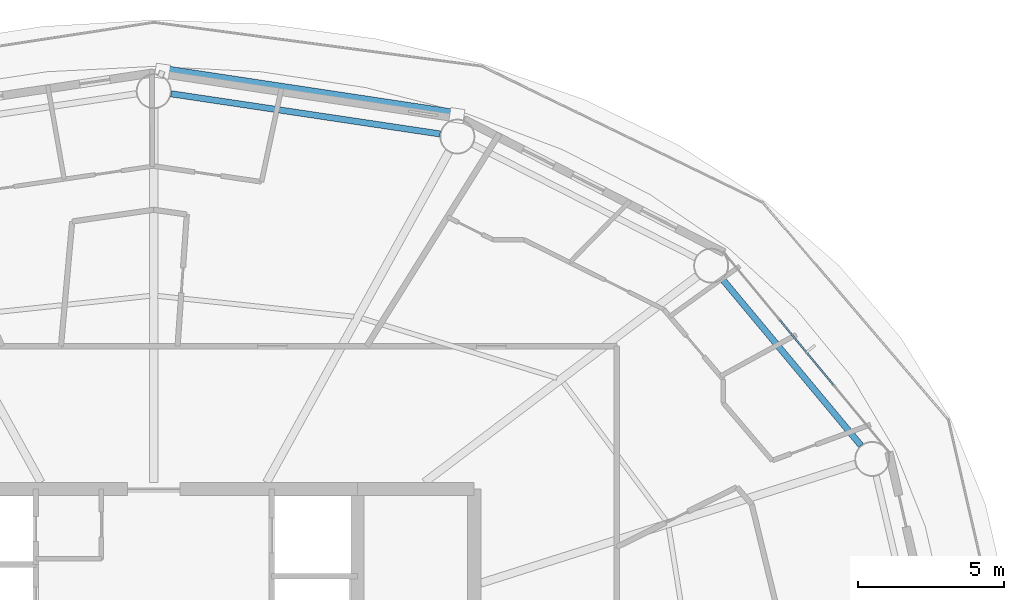
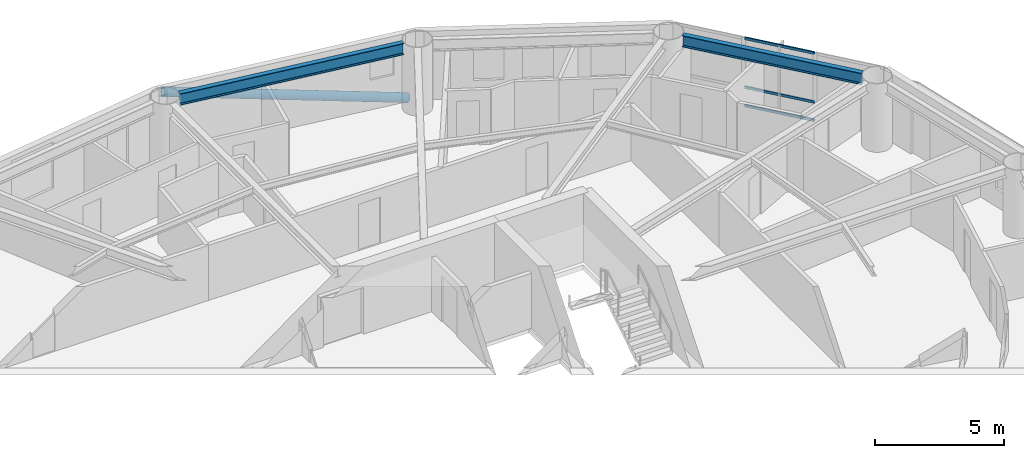
# One storey, part 14 of 28: 4 members, 2 beams, 1 element without a shape of its own.
"""IFC4 building model written with IfcOpenShell, lengths in metres."""

import ifcopenshell
import ifcopenshell.guid

model = None  # the IFC model being written
_history = None  # IfcOwnerHistory: only IFC2X3 demands one
_inside = {}  # id of a spatial element -> (the spatial element, [elements in it])
_under = {}  # id of a project, library or spatial element -> (it, [spatial elements below it])
_declared = {}  # id of a project -> (the project, [libraries it declares])
_typed = {}  # id of a type object -> (the type object, [elements of that type])
_made_of = {}  # id of a material, layer set ... -> (it, [elements and type objects made of it])


def new_model(schema):
    """Start an empty IFC model of exactly this schema.

    Asked for "IFC4X3", IfcOpenShell would pick the latest addendum, in which some entities
    have other attributes; the version numbers below select the first issue.
    IFC2X3 requires an IfcOwnerHistory on every rooted entity: one is made here for all.
    """
    global model, _history
    if schema == "IFC4X3":
        model = ifcopenshell.file(schema_version=(4, 3, 0, 0))
    else:
        model = ifcopenshell.file(schema=schema)
    _inside.clear()
    _under.clear()
    _declared.clear()
    _typed.clear()
    _made_of.clear()
    _history = None
    if model.schema == "IFC2X3":
        org = make("IfcOrganization", Name="unknown")
        user = make(
            "IfcPersonAndOrganization",
            ThePerson=make("IfcPerson", FamilyName="unknown"),
            TheOrganization=org,
        )
        app = make(
            "IfcApplication",
            ApplicationDeveloper=org,
            Version="unknown",
            ApplicationFullName="unknown",
            ApplicationIdentifier="unknown",
        )
        _history = make(
            "IfcOwnerHistory",
            OwningUser=user,
            OwningApplication=app,
            ChangeAction="ADDED",
            CreationDate=0,
        )
    return model


def make(cls, **values):
    """One entity of the class cls with the attributes given. An attribute that is None is left unset."""
    return model.create_entity(
        cls, **{name: value for name, value in values.items() if value is not None}
    )


def rooted(cls, **values):
    """An entity with a GlobalId (a new one), such as an element, a storey or a relation."""
    return make(cls, GlobalId=ifcopenshell.guid.new(), OwnerHistory=_history, **values)


def si_unit(unit_type, name, prefix=None):
    """IfcSIUnit, for example si_unit("LENGTHUNIT", "METRE", prefix="MILLI")."""
    return make("IfcSIUnit", UnitType=unit_type, Prefix=prefix, Name=name)


def assignment(units):
    """IfcUnitAssignment: the units of a project."""
    return None if units is None else make("IfcUnitAssignment", Units=units)


def point(xyz):
    """IfcCartesianPoint."""
    return None if xyz is None else make("IfcCartesianPoint", Coordinates=xyz)


def direction(xyz):
    """IfcDirection."""
    return None if xyz is None else make("IfcDirection", DirectionRatios=xyz)


def frame(location, z_axis=None, x_axis=None):
    """IfcAxis2Placement3D, a coordinate frame: its origin and axes. An axis left out is left unset."""
    return make(
        "IfcAxis2Placement3D",
        Location=point(location),
        Axis=direction(z_axis),
        RefDirection=direction(x_axis),
    )


def frame_2d(location, x_axis=None):
    """IfcAxis2Placement2D, a coordinate frame in the plane: its origin and x axis."""
    return make(
        "IfcAxis2Placement2D", Location=point(location), RefDirection=direction(x_axis)
    )


def origin():
    """The frame at (0, 0, 0) with its axes left unset."""
    return frame((0.0, 0.0, 0.0))


def origin_2d():
    """The frame at (0, 0) in the plane with its x axis left unset."""
    return frame_2d((0.0, 0.0))


def place(relative_to, where):
    """IfcLocalPlacement: puts the frame where relative to a parent placement (None: the world)."""
    return make(
        "IfcLocalPlacement", PlacementRelTo=relative_to, RelativePlacement=where
    )


def context(
    kind, dimensions, precision=None, world=None, true_north=None, identifier=None
):
    """IfcGeometricRepresentationContext, for example the 3D "Model" context."""
    return make(
        "IfcGeometricRepresentationContext",
        ContextIdentifier=identifier,
        ContextType=kind,
        CoordinateSpaceDimension=dimensions,
        Precision=precision,
        WorldCoordinateSystem=world,
        TrueNorth=true_north,
    )


def subcontext(parent, identifier, kind, view, scale=None):
    """IfcGeometricRepresentationSubContext, for example "Body" below "Model"."""
    return make(
        "IfcGeometricRepresentationSubContext",
        ContextIdentifier=identifier,
        ContextType=kind,
        ParentContext=parent,
        TargetScale=scale,
        TargetView=view,
    )


def project(units=None, contexts=None):
    """IfcProject with its units and contexts."""
    return rooted(
        "IfcProject",
        Name="project",
        RepresentationContexts=contexts,
        UnitsInContext=assignment(units),
    )


def spatial(cls, under=None, at=None, **own):
    """A site, building, storey or space (cls), placed at a placement, below another one or the project."""
    s = rooted(cls, ObjectPlacement=at, **own)
    if under is not None:
        _under.setdefault(under.id(), (under, []))[1].append(s)
    return s


def profile(cls, at=None, kind="AREA", **sizes):
    """A parametric profile (cls). Its sizes go by their IFC names, for example OverallWidth=200.0."""
    return make(cls, ProfileType=kind, Position=at, **sizes)


def hollow_rectangle(**sizes):
    """IfcRectangleHollowProfileDef."""
    return profile("IfcRectangleHollowProfileDef", **sizes)


def hollow_circle(**sizes):
    """IfcCircleHollowProfileDef."""
    return profile("IfcCircleHollowProfileDef", **sizes)


def i_section(**sizes):
    """IfcIShapeProfileDef."""
    return profile("IfcIShapeProfileDef", **sizes)


def extrude(swept, where, along, depth):
    """IfcExtrudedAreaSolid: the profile swept, set in the frame where, extruded along a direction by depth."""
    return make(
        "IfcExtrudedAreaSolid",
        SweptArea=swept,
        Position=where,
        ExtrudedDirection=direction(along),
        Depth=depth,
    )


def shape(context_of_items, identifier, shape_type, items):
    """IfcShapeRepresentation: the items that make up one representation, for example the "Body"."""
    return make(
        "IfcShapeRepresentation",
        ContextOfItems=context_of_items,
        RepresentationIdentifier=identifier,
        RepresentationType=shape_type,
        Items=items,
    )


def material(Name=None, Category=None):
    """IfcMaterial."""
    return make("IfcMaterial", Name=Name, Category=Category)


def layer(
    of_material, thickness, ventilated=None, Name=None, Category=None, Priority=None
):
    """IfcMaterialLayer: one layer of a wall or slab, of a material (None: an air gap)."""
    return make(
        "IfcMaterialLayer",
        Material=of_material,
        LayerThickness=thickness,
        IsVentilated=ventilated,
        Name=Name,
        Category=Category,
        Priority=Priority,
    )


def layer_set(layers, Name=None):
    """IfcMaterialLayerSet."""
    return make("IfcMaterialLayerSet", MaterialLayers=layers, LayerSetName=Name)


def material_profile(
    of_material, cross_section, Name=None, Category=None, Priority=None
):
    """IfcMaterialProfile: a cross section and its material."""
    return make(
        "IfcMaterialProfile",
        Name=Name,
        Material=of_material,
        Profile=cross_section,
        Priority=Priority,
        Category=Category,
    )


def profile_set(profiles, Name=None, composite=None):
    """IfcMaterialProfileSet."""
    return make(
        "IfcMaterialProfileSet",
        Name=Name,
        MaterialProfiles=profiles,
        CompositeProfile=composite,
    )


def made_of(thing, what):
    """Note that an element or type object is made of a material, layer set ...; save() writes the relation."""
    if what is not None:
        _made_of.setdefault(what.id(), (what, []))[1].append(thing)
    return thing


def type_object(cls, material=None, **own):
    """A type object (cls), such as IfcWallType, which elements share."""
    return made_of(rooted(cls, **own), material)


def element(
    cls,
    number,
    at=None,
    inside=None,
    cuts=None,
    type_object=None,
    material=None,
    context=None,
    identifier="Body",
    shape_type=None,
    held_by="IfcProductDefinitionShape",
    body=None,
    shapes=None,
    **own,
):
    """One element of the class cls, such as IfcWall. Its Tag is "e" and its number.

    at: its placement. inside: the storey or other place that contains it. cuts: it is an
    opening in that element (IfcRelVoidsElement). A single representation is given by context,
    identifier, shape_type and body (its items); several are given by shapes. held_by: the class
    of the entity that holds the representations. save() writes the other relations.
    """
    e = rooted(cls, Tag="e%d" % number, ObjectPlacement=at, **own)
    if body is not None:
        shapes = [shape(context, identifier, shape_type, body)]
    if shapes is not None:
        e.Representation = make(held_by, Representations=shapes)
    if inside is not None:
        _inside.setdefault(inside.id(), (inside, []))[1].append(e)
    if cuts is not None:
        rooted(
            "IfcRelVoidsElement", RelatingBuildingElement=cuts, RelatedOpeningElement=e
        )
    if type_object is not None:
        _typed.setdefault(type_object.id(), (type_object, []))[1].append(e)
    return made_of(e, material)


def aggregate(whole, parts):
    """IfcRelAggregates: a whole, such as a stair, and the parts it consists of."""
    return rooted("IfcRelAggregates", RelatingObject=whole, RelatedObjects=parts)


def save(model, path):
    """Write the relations noted so far, then the file.

    IfcRelAggregates (storeys below a building ...), IfcRelContainedInSpatialStructure (elements
    in a storey), IfcRelDefinesByType, IfcRelAssociatesMaterial and IfcRelDeclares: one each for
    every whole, place, type object, material and project.
    """
    for whole, parts in _under.values():
        aggregate(whole, parts)
    for where, things in _inside.values():
        rooted(
            "IfcRelContainedInSpatialStructure",
            RelatedElements=things,
            RelatingStructure=where,
        )
    for kind, things in _typed.values():
        rooted("IfcRelDefinesByType", RelatedObjects=things, RelatingType=kind)
    for what, things in _made_of.values():
        rooted("IfcRelAssociatesMaterial", RelatedObjects=things, RelatingMaterial=what)
    for by, libraries in _declared.values():
        rooted("IfcRelDeclares", RelatingContext=by, RelatedDefinitions=libraries)
    model.write(path)


model = new_model("IFC4")

# Units and contexts
model_context = context("Model", 3, precision=1e-05, world=origin(), true_north=direction((0.0, 1.0)))
body_context = subcontext(model_context, "Body", "Model", "MODEL_VIEW")
ifc_project = project(units=[si_unit("LENGTHUNIT", "METRE"), si_unit("AREAUNIT", "SQUARE_METRE"), si_unit("VOLUMEUNIT", "CUBIC_METRE"), si_unit("PLANEANGLEUNIT", "RADIAN"), si_unit("MASSUNIT", "GRAM", prefix="KILO")], contexts=[model_context])

# Site, building, storey
site_placement = place(None, origin())
site = spatial("IfcSite", under=ifc_project, at=site_placement, CompositionType="ELEMENT")
building_placement = place(site_placement, origin())
building = spatial("IfcBuilding", under=site, at=building_placement, Name="Sarneth Arch Tower", CompositionType="ELEMENT")
storey_placement = place(building_placement, frame((0.0, 0.0, 197.39990234375)))
storey = spatial("IfcBuildingStorey", under=building, at=storey_placement, Name="L50", CompositionType="ELEMENT", Elevation=197.39990234375)

# Beams
ifc_material_1 = material(Name="Steel S355", Category="steel")
ifc_material_profile_1 = material_profile(ifc_material_1, i_section(OverallWidth=0.214111328125, OverallDepth=0.549072265625, WebThickness=0.0146484375, FlangeThickness=0.023681640625, FilletRadius=0.01806640625, at=origin_2d()), Name="W530x138")
ifc_profile_set_1 = profile_set([ifc_material_profile_1], Name="Steel S355")
beam_type = type_object("IfcBeamType", Name="BM-RAD-530A", PredefinedType="BEAM", material=ifc_profile_set_1)
beam_1_placement = place(storey_placement, frame((72.278076171875, 50.286865234375, 2.9755859375), z_axis=(-0.640161793626, 0.768240117399, 0.0), x_axis=(-0.768240117399, -0.640161793626, 0.0)))
element("IfcBeam", 1, at=beam_1_placement, inside=storey, type_object=beam_type, Name="L50 Perimeter spandrel beam 02", PredefinedType="BEAM", context=body_context, shape_type="SweptSolid", body=[
    extrude(i_section(OverallWidth=0.214111328125, OverallDepth=0.549072265625, WebThickness=0.0146484375, FlangeThickness=0.023681640625, FilletRadius=0.01806640625, at=origin_2d()), origin(), (0.0, 0.0, 1.0), 7.43603515625),
])
beam_2_placement = place(storey_placement, frame((57.828369140625, 60.98193359375, 2.9755859375), z_axis=(-0.98902783755, 0.147729267756, 0.0), x_axis=(-0.147729267756, -0.98902783755, 0.0)))
element("IfcBeam", 2, at=beam_2_placement, inside=storey, type_object=beam_type, Name="L50 Perimeter spandrel beam 04", PredefinedType="BEAM", context=body_context, shape_type="SweptSolid", body=[
    extrude(i_section(OverallWidth=0.214111328125, OverallDepth=0.549072265625, WebThickness=0.0146484375, FlangeThickness=0.023681640625, FilletRadius=0.01806640625, at=origin_2d()), origin(), (0.0, 0.0, 1.0), 9.33740234375),
])

# Curtain wall, members
ifc_material_2 = material(Name="Anodised aluminium Type AA25 and solar-control low-e laminated IGU", Category="aluminium")
ifc_layer = layer(ifc_material_2, 0.169921875)
ifc_layer_set = layer_set([ifc_layer], Name="Anodised aluminium Type AA25 and solar-control low-e laminated IGU")
curtain_wall_type = type_object("IfcCurtainWallType", Name="CW-RES-MID", PredefinedType="NOTDEFINED", material=ifc_layer_set)
curtain_wall_placement = place(storey_placement, origin())
curtain_wall = element("IfcCurtainWall", 3, at=curtain_wall_placement, inside=storey, type_object=curtain_wall_type, Name="L50 Unitised curtain wall facet 02", PredefinedType="NOTDEFINED")
ifc_material_3 = material(Name="Anodised Aluminium 6063-T6", Category="aluminium")
ifc_material_profile_2 = material_profile(ifc_material_3, hollow_rectangle(XDim=0.06005859375, YDim=0.1201171875, WallThickness=0.00390625, at=origin_2d()), Name="AL-TRAN-120x60x4")
ifc_profile_set_2 = profile_set([ifc_material_profile_2], Name="Anodised Aluminium 6063-T6")
member_type_1 = type_object("IfcMemberType", Name="CW-TRANSOM", PredefinedType="USERDEFINED", material=ifc_profile_set_2)
member_1_placement = place(storey_placement, frame((71.327880859375, 52.36962890625, 0.030029296875), z_axis=(-0.637329777791, 0.770591171985, 0.0), x_axis=(-0.770591171985, -0.637329777791, 0.0)))
member_1 = element("IfcMember", 4, at=member_1_placement, type_object=member_type_1, Name="CW-SYS-5 transom 2.1", ObjectType="TRANSOM", PredefinedType="USERDEFINED", context=body_context, shape_type="SweptSolid", body=[
    extrude(hollow_rectangle(XDim=0.06005859375, YDim=0.1201171875, WallThickness=0.00390625, at=origin_2d()), origin(), (0.0, 0.0, 1.0), 2.898193359375),
])
member_2_placement = place(storey_placement, frame((71.327880859375, 52.36962890625, 0.900146484375), z_axis=(-0.637329777791, 0.770591171985, 0.0), x_axis=(-0.770591171985, -0.637329777791, 0.0)))
member_2 = element("IfcMember", 5, at=member_2_placement, type_object=member_type_1, Name="CW-SYS-5 transom 2.2", ObjectType="TRANSOM", PredefinedType="USERDEFINED", context=body_context, shape_type="SweptSolid", body=[
    extrude(hollow_rectangle(XDim=0.06005859375, YDim=0.1201171875, WallThickness=0.00390625, at=origin_2d()), origin(), (0.0, 0.0, 1.0), 2.898193359375),
])
member_3_placement = place(storey_placement, frame((71.327880859375, 52.36962890625, 3.22021484375), z_axis=(-0.637329777791, 0.770591171985, 0.0), x_axis=(-0.770591171985, -0.637329777791, 0.0)))
member_3 = element("IfcMember", 6, at=member_3_placement, type_object=member_type_1, Name="CW-SYS-5 transom 2.3", ObjectType="TRANSOM", PredefinedType="USERDEFINED", context=body_context, shape_type="SweptSolid", body=[
    extrude(hollow_rectangle(XDim=0.06005859375, YDim=0.1201171875, WallThickness=0.00390625, at=origin_2d()), origin(), (0.0, 0.0, 1.0), 2.898193359375),
])
aggregate(curtain_wall, [member_1, member_2, member_3])

# Member
ifc_material_4 = material(Name="Steel S355", Category="steel")
ifc_material_profile_3 = material_profile(ifc_material_4, hollow_circle(Radius=0.202880859375, WallThickness=0.01611328125, at=origin_2d()), Name="CHS406x16")
ifc_profile_set_3 = profile_set([ifc_material_profile_3], Name="Steel S355")
member_type_2 = type_object("IfcMemberType", Name="MEM-DIAG-BR2", PredefinedType="BRACE", material=ifc_profile_set_3)
member_4_placement = place(storey_placement, frame((58.404296875, 61.612548828125, 0.02001953125), z_axis=(-0.951281934993, 0.143309229935, 0.272992939051), x_axis=(-0.148967610144, -0.988842075929, 0.0)))
element("IfcMember", 7, at=member_4_placement, inside=storey, type_object=member_type_2, Name="L50 Perimeter frame diagonal 04", PredefinedType="BRACE", context=body_context, shape_type="SweptSolid", body=[
    extrude(hollow_circle(Radius=0.202880859375, WallThickness=0.01611328125, at=origin_2d()), origin(), (0.0, 0.0, 1.0), 10.625244140625),
])

save(model, "model.ifc")
